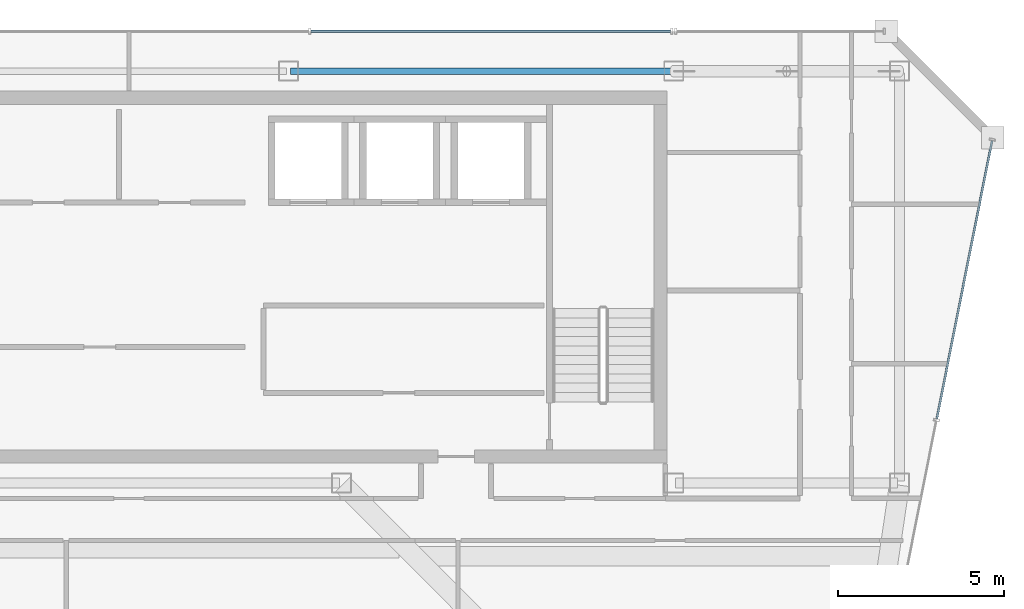
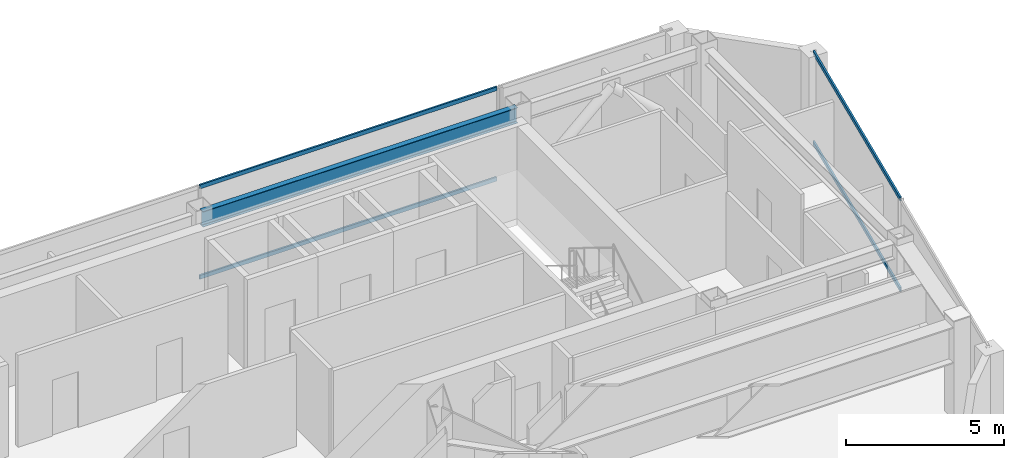
# One storey, part 16 of 24: 4 members, 1 beam, 2 elements without a shape of their own.
"""IFC4 building model written with IfcOpenShell, lengths in metres."""

import ifcopenshell
import ifcopenshell.guid

model = None  # the IFC model being written
_history = None  # IfcOwnerHistory: only IFC2X3 demands one
_inside = {}  # id of a spatial element -> (the spatial element, [elements in it])
_under = {}  # id of a project, library or spatial element -> (it, [spatial elements below it])
_declared = {}  # id of a project -> (the project, [libraries it declares])
_typed = {}  # id of a type object -> (the type object, [elements of that type])
_made_of = {}  # id of a material, layer set ... -> (it, [elements and type objects made of it])


def new_model(schema):
    """Start an empty IFC model of exactly this schema.

    Asked for "IFC4X3", IfcOpenShell would pick the latest addendum, in which some entities
    have other attributes; the version numbers below select the first issue.
    IFC2X3 requires an IfcOwnerHistory on every rooted entity: one is made here for all.
    """
    global model, _history
    if schema == "IFC4X3":
        model = ifcopenshell.file(schema_version=(4, 3, 0, 0))
    else:
        model = ifcopenshell.file(schema=schema)
    _inside.clear()
    _under.clear()
    _declared.clear()
    _typed.clear()
    _made_of.clear()
    _history = None
    if model.schema == "IFC2X3":
        org = make("IfcOrganization", Name="unknown")
        user = make(
            "IfcPersonAndOrganization",
            ThePerson=make("IfcPerson", FamilyName="unknown"),
            TheOrganization=org,
        )
        app = make(
            "IfcApplication",
            ApplicationDeveloper=org,
            Version="unknown",
            ApplicationFullName="unknown",
            ApplicationIdentifier="unknown",
        )
        _history = make(
            "IfcOwnerHistory",
            OwningUser=user,
            OwningApplication=app,
            ChangeAction="ADDED",
            CreationDate=0,
        )
    return model


def make(cls, **values):
    """One entity of the class cls with the attributes given. An attribute that is None is left unset."""
    return model.create_entity(
        cls, **{name: value for name, value in values.items() if value is not None}
    )


def rooted(cls, **values):
    """An entity with a GlobalId (a new one), such as an element, a storey or a relation."""
    return make(cls, GlobalId=ifcopenshell.guid.new(), OwnerHistory=_history, **values)


def si_unit(unit_type, name, prefix=None):
    """IfcSIUnit, for example si_unit("LENGTHUNIT", "METRE", prefix="MILLI")."""
    return make("IfcSIUnit", UnitType=unit_type, Prefix=prefix, Name=name)


def assignment(units):
    """IfcUnitAssignment: the units of a project."""
    return None if units is None else make("IfcUnitAssignment", Units=units)


def point(xyz):
    """IfcCartesianPoint."""
    return None if xyz is None else make("IfcCartesianPoint", Coordinates=xyz)


def direction(xyz):
    """IfcDirection."""
    return None if xyz is None else make("IfcDirection", DirectionRatios=xyz)


def frame(location, z_axis=None, x_axis=None):
    """IfcAxis2Placement3D, a coordinate frame: its origin and axes. An axis left out is left unset."""
    return make(
        "IfcAxis2Placement3D",
        Location=point(location),
        Axis=direction(z_axis),
        RefDirection=direction(x_axis),
    )


def frame_2d(location, x_axis=None):
    """IfcAxis2Placement2D, a coordinate frame in the plane: its origin and x axis."""
    return make(
        "IfcAxis2Placement2D", Location=point(location), RefDirection=direction(x_axis)
    )


def origin():
    """The frame at (0, 0, 0) with its axes left unset."""
    return frame((0.0, 0.0, 0.0))


def origin_2d():
    """The frame at (0, 0) in the plane with its x axis left unset."""
    return frame_2d((0.0, 0.0))


def place(relative_to, where):
    """IfcLocalPlacement: puts the frame where relative to a parent placement (None: the world)."""
    return make(
        "IfcLocalPlacement", PlacementRelTo=relative_to, RelativePlacement=where
    )


def context(
    kind, dimensions, precision=None, world=None, true_north=None, identifier=None
):
    """IfcGeometricRepresentationContext, for example the 3D "Model" context."""
    return make(
        "IfcGeometricRepresentationContext",
        ContextIdentifier=identifier,
        ContextType=kind,
        CoordinateSpaceDimension=dimensions,
        Precision=precision,
        WorldCoordinateSystem=world,
        TrueNorth=true_north,
    )


def subcontext(parent, identifier, kind, view, scale=None):
    """IfcGeometricRepresentationSubContext, for example "Body" below "Model"."""
    return make(
        "IfcGeometricRepresentationSubContext",
        ContextIdentifier=identifier,
        ContextType=kind,
        ParentContext=parent,
        TargetScale=scale,
        TargetView=view,
    )


def project(units=None, contexts=None):
    """IfcProject with its units and contexts."""
    return rooted(
        "IfcProject",
        Name="project",
        RepresentationContexts=contexts,
        UnitsInContext=assignment(units),
    )


def spatial(cls, under=None, at=None, **own):
    """A site, building, storey or space (cls), placed at a placement, below another one or the project."""
    s = rooted(cls, ObjectPlacement=at, **own)
    if under is not None:
        _under.setdefault(under.id(), (under, []))[1].append(s)
    return s


def profile(cls, at=None, kind="AREA", **sizes):
    """A parametric profile (cls). Its sizes go by their IFC names, for example OverallWidth=200.0."""
    return make(cls, ProfileType=kind, Position=at, **sizes)


def hollow_rectangle(**sizes):
    """IfcRectangleHollowProfileDef."""
    return profile("IfcRectangleHollowProfileDef", **sizes)


def i_section(**sizes):
    """IfcIShapeProfileDef."""
    return profile("IfcIShapeProfileDef", **sizes)


def extrude(swept, where, along, depth):
    """IfcExtrudedAreaSolid: the profile swept, set in the frame where, extruded along a direction by depth."""
    return make(
        "IfcExtrudedAreaSolid",
        SweptArea=swept,
        Position=where,
        ExtrudedDirection=direction(along),
        Depth=depth,
    )


def shape(context_of_items, identifier, shape_type, items):
    """IfcShapeRepresentation: the items that make up one representation, for example the "Body"."""
    return make(
        "IfcShapeRepresentation",
        ContextOfItems=context_of_items,
        RepresentationIdentifier=identifier,
        RepresentationType=shape_type,
        Items=items,
    )


def material(Name=None, Category=None):
    """IfcMaterial."""
    return make("IfcMaterial", Name=Name, Category=Category)


def material_profile(
    of_material, cross_section, Name=None, Category=None, Priority=None
):
    """IfcMaterialProfile: a cross section and its material."""
    return make(
        "IfcMaterialProfile",
        Name=Name,
        Material=of_material,
        Profile=cross_section,
        Priority=Priority,
        Category=Category,
    )


def profile_set(profiles, Name=None, composite=None):
    """IfcMaterialProfileSet."""
    return make(
        "IfcMaterialProfileSet",
        Name=Name,
        MaterialProfiles=profiles,
        CompositeProfile=composite,
    )


def made_of(thing, what):
    """Note that an element or type object is made of a material, layer set ...; save() writes the relation."""
    if what is not None:
        _made_of.setdefault(what.id(), (what, []))[1].append(thing)
    return thing


def type_object(cls, material=None, **own):
    """A type object (cls), such as IfcWallType, which elements share."""
    return made_of(rooted(cls, **own), material)


def element(
    cls,
    number,
    at=None,
    inside=None,
    cuts=None,
    type_object=None,
    material=None,
    context=None,
    identifier="Body",
    shape_type=None,
    held_by="IfcProductDefinitionShape",
    body=None,
    shapes=None,
    **own,
):
    """One element of the class cls, such as IfcWall. Its Tag is "e" and its number.

    at: its placement. inside: the storey or other place that contains it. cuts: it is an
    opening in that element (IfcRelVoidsElement). A single representation is given by context,
    identifier, shape_type and body (its items); several are given by shapes. held_by: the class
    of the entity that holds the representations. save() writes the other relations.
    """
    e = rooted(cls, Tag="e%d" % number, ObjectPlacement=at, **own)
    if body is not None:
        shapes = [shape(context, identifier, shape_type, body)]
    if shapes is not None:
        e.Representation = make(held_by, Representations=shapes)
    if inside is not None:
        _inside.setdefault(inside.id(), (inside, []))[1].append(e)
    if cuts is not None:
        rooted(
            "IfcRelVoidsElement", RelatingBuildingElement=cuts, RelatedOpeningElement=e
        )
    if type_object is not None:
        _typed.setdefault(type_object.id(), (type_object, []))[1].append(e)
    return made_of(e, material)


def aggregate(whole, parts):
    """IfcRelAggregates: a whole, such as a stair, and the parts it consists of."""
    return rooted("IfcRelAggregates", RelatingObject=whole, RelatedObjects=parts)


def save(model, path):
    """Write the relations noted so far, then the file.

    IfcRelAggregates (storeys below a building ...), IfcRelContainedInSpatialStructure (elements
    in a storey), IfcRelDefinesByType, IfcRelAssociatesMaterial and IfcRelDeclares: one each for
    every whole, place, type object, material and project.
    """
    for whole, parts in _under.values():
        aggregate(whole, parts)
    for where, things in _inside.values():
        rooted(
            "IfcRelContainedInSpatialStructure",
            RelatedElements=things,
            RelatingStructure=where,
        )
    for kind, things in _typed.values():
        rooted("IfcRelDefinesByType", RelatedObjects=things, RelatingType=kind)
    for what, things in _made_of.values():
        rooted("IfcRelAssociatesMaterial", RelatedObjects=things, RelatingMaterial=what)
    for by, libraries in _declared.values():
        rooted("IfcRelDeclares", RelatingContext=by, RelatedDefinitions=libraries)
    model.write(path)


model = new_model("IFC4")

# Units and contexts
model_context = context("Model", 3, precision=1e-05, world=origin(), true_north=direction((0.0, 1.0)))
body_context = subcontext(model_context, "Body", "Model", "MODEL_VIEW")
ifc_project = project(units=[si_unit("LENGTHUNIT", "METRE"), si_unit("AREAUNIT", "SQUARE_METRE"), si_unit("VOLUMEUNIT", "CUBIC_METRE"), si_unit("PLANEANGLEUNIT", "RADIAN"), si_unit("MASSUNIT", "GRAM", prefix="KILO")], contexts=[model_context])

# Site, building, storey
site_placement = place(None, origin())
site = spatial("IfcSite", under=ifc_project, at=site_placement, CompositionType="ELEMENT")
building_placement = place(site_placement, origin())
building = spatial("IfcBuilding", under=site, at=building_placement, Name="Saevonmaru Cultural Tower", CompositionType="ELEMENT")
storey_placement = place(building_placement, frame((0.0, 0.0, 306.60009765625)))
storey = spatial("IfcBuildingStorey", under=building, at=storey_placement, Name="L73", CompositionType="ELEMENT", Elevation=306.60009765625)

# Beam
ifc_material_1 = material(Name="Steel SM355", Category="steel")
ifc_material_profile_1 = material_profile(ifc_material_1, i_section(OverallWidth=0.199951171875, OverallDepth=0.60009765625, WebThickness=0.010986328125, FlangeThickness=0.01708984375, FilletRadius=0.02197265625, at=origin_2d()), Name="H-600x200x11x17")
ifc_profile_set_1 = profile_set([ifc_material_profile_1], Name="Steel SM355")
beam_type = type_object("IfcBeamType", Name="BM-SP-H600", PredefinedType="SPANDREL", material=ifc_profile_set_1)
beam_placement = place(storey_placement, frame((34.860107421875, 54.800048828125, 3.25), z_axis=(1.0, 0.0, 0.0), x_axis=(0.0, 1.0, 0.0)))
element("IfcBeam", 1, at=beam_placement, inside=storey, type_object=beam_type, Name="L73 North Spine Girder 4", PredefinedType="SPANDREL", context=body_context, shape_type="SweptSolid", body=[
    extrude(i_section(OverallWidth=0.199951171875, OverallDepth=0.60009765625, WebThickness=0.010986328125, FlangeThickness=0.01708984375, FilletRadius=0.02197265625, at=origin_2d()), origin(), (0.0, 0.0, 1.0), 11.47998046875),
])

# Curtain wall, members
ifc_material_2 = material(Name="Satin Bronze Anodised Aluminium", Category="aluminium")
curtain_wall_type = type_object("IfcCurtainWallType", Name="CW-TYP-B", PredefinedType="NOTDEFINED", material=ifc_material_2)
curtain_wall_1_placement = place(storey_placement, origin())
curtain_wall_1 = element("IfcCurtainWall", 2, at=curtain_wall_1_placement, inside=storey, type_object=curtain_wall_type, Name="L73 Unitised Curtain Wall E8", PredefinedType="NOTDEFINED")
ifc_material_profile_2 = material_profile(ifc_material_2, hollow_rectangle(XDim=0.06494140625, YDim=0.14990234375, WallThickness=0.00390625, at=origin_2d()), Name="ALU-TRAN-150x65x4")
ifc_profile_set_2 = profile_set([ifc_material_profile_2], Name="Satin Bronze Anodised Aluminium")
member_type = type_object("IfcMemberType", Name="TR-CW-150x65", PredefinedType="USERDEFINED", material=ifc_profile_set_2)
member_1_placement = place(storey_placement, frame((54.31640625, 44.331787109375, 0.032470703125), z_axis=(0.194994665552, 0.980804302808, 0.0), x_axis=(-0.980804302808, 0.194994665552, 0.0)))
member_1 = element("IfcMember", 3, at=member_1_placement, type_object=member_type, Name="CW-TW-L73-E8 transom 2.1", ObjectType="TRANSOM", PredefinedType="USERDEFINED", context=body_context, shape_type="SweptSolid", body=[
    extrude(hollow_rectangle(XDim=0.06494140625, YDim=0.14990234375, WallThickness=0.00390625, at=origin_2d()), origin(), (0.0, 0.0, 1.0), 8.54150390625),
])
member_2_placement = place(storey_placement, frame((54.31640625, 44.331787109375, 3.517333984375), z_axis=(0.194994665552, 0.980804302808, 0.0), x_axis=(-0.980804302808, 0.194994665552, 0.0)))
member_2 = element("IfcMember", 4, at=member_2_placement, type_object=member_type, Name="CW-TW-L73-E8 transom 2.2", ObjectType="TRANSOM", PredefinedType="USERDEFINED", context=body_context, shape_type="SweptSolid", body=[
    extrude(hollow_rectangle(XDim=0.06494140625, YDim=0.14990234375, WallThickness=0.00390625, at=origin_2d()), origin(), (0.0, 0.0, 1.0), 8.54150390625),
])
aggregate(curtain_wall_1, [member_1, member_2])

curtain_wall_2_placement = place(storey_placement, origin())
curtain_wall_2 = element("IfcCurtainWall", 5, at=curtain_wall_2_placement, inside=storey, type_object=curtain_wall_type, Name="L73 North Spine Unitised Curtain Wall E10B", PredefinedType="NOTDEFINED")
member_3_placement = place(storey_placement, frame((46.3076171875, 56.0, 0.032470703125), z_axis=(-1.0, 0.0, 0.0), x_axis=(0.0, -1.0, 0.0)))
member_3 = element("IfcMember", 6, at=member_3_placement, type_object=member_type, Name="CW-TW-L73-E10B transom 1.1", ObjectType="TRANSOM", PredefinedType="USERDEFINED", context=body_context, shape_type="SweptSolid", body=[
    extrude(hollow_rectangle(XDim=0.06494140625, YDim=0.14990234375, WallThickness=0.00390625, at=origin_2d()), origin(), (0.0, 0.0, 1.0), 10.828369140625),
])
member_4_placement = place(storey_placement, frame((46.3076171875, 56.0, 3.517333984375), z_axis=(-1.0, 0.0, 0.0), x_axis=(0.0, -1.0, 0.0)))
member_4 = element("IfcMember", 7, at=member_4_placement, type_object=member_type, Name="CW-TW-L73-E10B transom 1.2", ObjectType="TRANSOM", PredefinedType="USERDEFINED", context=body_context, shape_type="SweptSolid", body=[
    extrude(hollow_rectangle(XDim=0.06494140625, YDim=0.14990234375, WallThickness=0.00390625, at=origin_2d()), origin(), (0.0, 0.0, 1.0), 10.828369140625),
])
aggregate(curtain_wall_2, [member_3, member_4])

save(model, "model.ifc")
